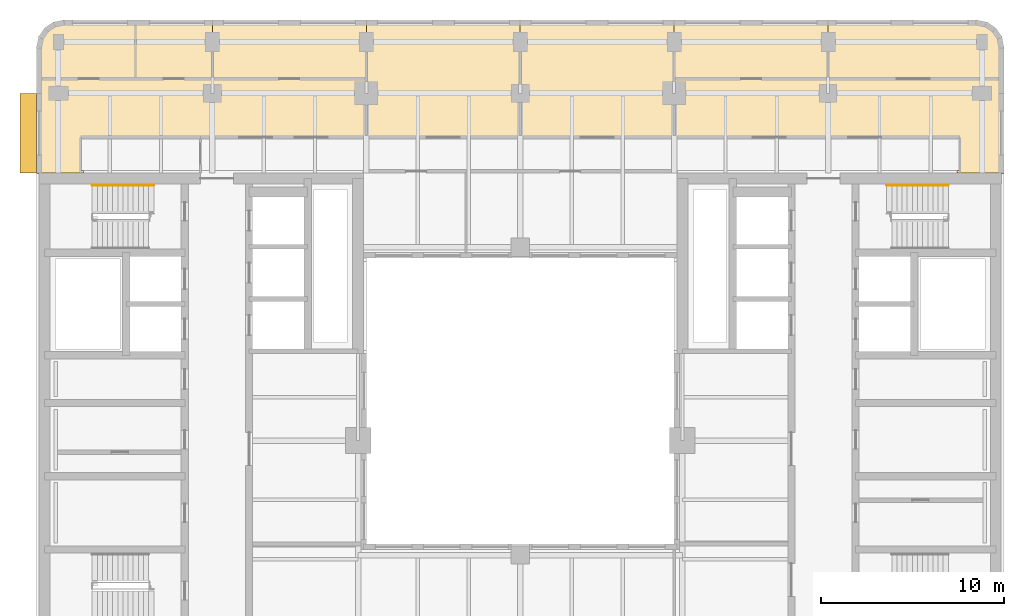
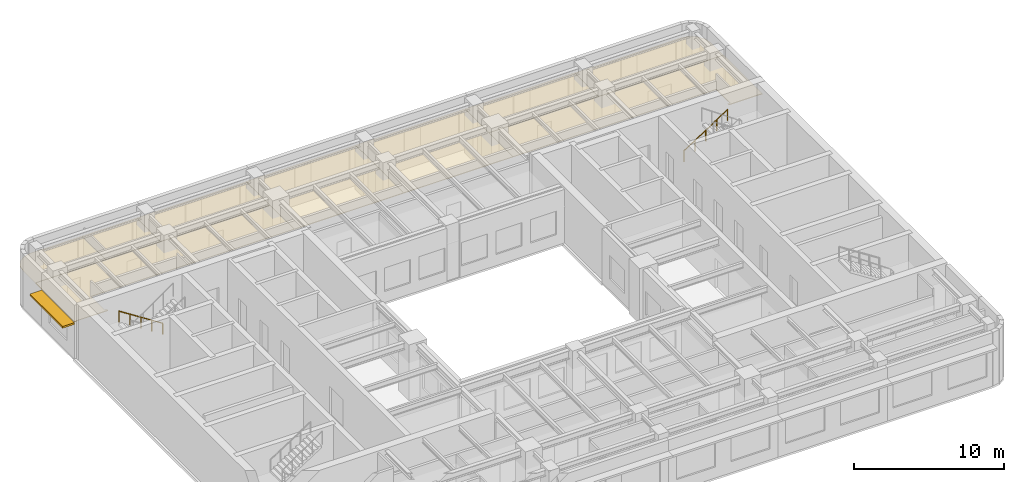
# One storey, part 11 of 11: 9 coverings, 2 railings, 1 shading device.
"""IFC4 building model written with IfcOpenShell, lengths in metres."""

from ifc_helpers import new_model, si_unit, direction, frame, origin, origin_2d, place, context, subcontext, project, spatial, polyline, rectangle, circle, outline, extrude, material, layer, layer_set, type_object, element, save


model = new_model("IFC4")

# Units and contexts
model_context = context("Model", 3, precision=1e-05, world=origin(), true_north=direction((0.0, 1.0)))
body_context = subcontext(model_context, "Body", "Model", "MODEL_VIEW")
ifc_project = project(units=[si_unit("LENGTHUNIT", "METRE"), si_unit("AREAUNIT", "SQUARE_METRE"), si_unit("VOLUMEUNIT", "CUBIC_METRE"), si_unit("PLANEANGLEUNIT", "RADIAN"), si_unit("MASSUNIT", "GRAM", prefix="KILO")], contexts=[model_context])

# Site, building, storey
site_placement = place(None, origin())
site = spatial("IfcSite", under=ifc_project, at=site_placement, CompositionType="ELEMENT")
building_placement = place(site_placement, origin())
building = spatial("IfcBuilding", under=site, at=building_placement, Name="Claustro Exchange Tower", CompositionType="ELEMENT")
storey_placement = place(building_placement, frame((0.0, 0.0, 268.199951171875)))
storey = spatial("IfcBuildingStorey", under=building, at=storey_placement, Name="L61", CompositionType="ELEMENT", Elevation=268.199951171875)

# Coverings
ifc_material_1 = material(Name="Gypsum board ceiling", Category="gypsum board")
ifc_layer_1 = layer(ifc_material_1, 0.02490234375)
ifc_layer_set_1 = layer_set([ifc_layer_1], Name="Gypsum board ceiling")
covering_type_1 = type_object("IfcCoveringType", Name="CL2 plasterboard ceiling", PredefinedType="CEILING", material=ifc_layer_set_1)
covering_1_placement = place(storey_placement, frame((0.0, 0.0, 3.0)))
element("IfcCovering", 1, at=covering_1_placement, inside=storey, type_object=covering_type_1, Name="Ceiling CL2 L61-22", PredefinedType="CEILING", context=body_context, shape_type="SweptSolid", body=[
    extrude(outline(polyline([(-1.199951171875, 44.5), (-1.199951171875, 42.800048828125), (4.199951171875, 42.800048828125), (4.199951171875, 46.0), (0.300048828125, 46.0), (-0.27392578125, 45.8857421875), (-0.7607421875, 45.560791015625), (-1.085693359375, 45.073974609375), (-1.199951171875, 44.5)])), origin(), (0.0, 0.0, 1.0), 0.025146484375),
])
covering_2_placement = place(storey_placement, frame((0.0, 0.0, 3.0)))
element("IfcCovering", 2, at=covering_2_placement, inside=storey, type_object=covering_type_1, Name="Ceiling CL2 L61-23", PredefinedType="CEILING", context=body_context, shape_type="SweptSolid", body=[
    extrude(outline(polyline([(8.39990234375, 46.0), (4.199951171875, 46.0), (4.199951171875, 42.800048828125), (8.39990234375, 42.800048828125), (8.39990234375, 46.0)])), origin(), (0.0, 0.0, 1.0), 0.025146484375),
])
covering_3_placement = place(storey_placement, frame((0.0, 0.0, 3.0)))
element("IfcCovering", 3, at=covering_3_placement, inside=storey, type_object=covering_type_1, Name="Ceiling CL2 L61-24", PredefinedType="CEILING", context=body_context, shape_type="SweptSolid", body=[
    extrude(outline(polyline([(16.800048828125, 46.0), (8.39990234375, 46.0), (8.39990234375, 42.800048828125), (16.800048828125, 42.800048828125), (16.800048828125, 46.0)])), origin(), (0.0, 0.0, 1.0), 0.025146484375),
])
covering_4_placement = place(storey_placement, frame((0.0, 0.0, 3.0)))
element("IfcCovering", 4, at=covering_4_placement, inside=storey, type_object=covering_type_1, Name="Ceiling CL2 L61-26", PredefinedType="CEILING", context=body_context, shape_type="SweptSolid", body=[
    extrude(outline(polyline([(50.10009765625, 46.0), (42.0, 46.0), (42.0, 42.800048828125), (51.60009765625, 42.800048828125), (51.60009765625, 44.5), (51.48583984375, 45.073974609375), (51.16064453125, 45.560791015625), (50.674072265625, 45.8857421875), (50.10009765625, 46.0)])), origin(), (0.0, 0.0, 1.0), 0.025146484375),
])
ifc_material_2 = material(Name="Oak slats on acoustic backing", Category="wood")
ifc_layer_2 = layer(ifc_material_2, 0.050048828125)
ifc_layer_set_2 = layer_set([ifc_layer_2], Name="Oak slats on acoustic backing")
covering_type_2 = type_object("IfcCoveringType", Name="CL3 timber slat ceiling", PredefinedType="CEILING", material=ifc_layer_set_2)
covering_5_placement = place(storey_placement, frame((0.0, 0.0, 3.0)))
element("IfcCovering", 5, at=covering_5_placement, inside=storey, type_object=covering_type_2, Name="Ceiling CL3 L61-18", PredefinedType="CEILING", context=body_context, shape_type="SweptSolid", body=[
    extrude(outline(polyline([(-1.050048828125, 37.64990234375), (1.3701171875, 37.64990234375), (1.3701171875, 37.800048828125), (1.199951171875, 37.800048828125), (1.199951171875, 39.60009765625), (16.800048828125, 39.60009765625), (16.800048828125, 42.800048828125), (-1.199951171875, 42.800048828125), (-1.199951171875, 37.6298828125), (-1.050048828125, 37.6298828125), (-1.050048828125, 37.64990234375)])), origin(), (0.0, 0.0, 1.0), 0.050048828125),
])
covering_6_placement = place(storey_placement, frame((0.0, 0.0, 3.0)))
element("IfcCovering", 6, at=covering_6_placement, inside=storey, type_object=covering_type_2, Name="Ceiling CL3 L61-19", PredefinedType="CEILING", context=body_context, shape_type="SweptSolid", body=[
    extrude(outline(polyline([(51.449951171875, 37.64990234375), (51.449951171875, 37.6298828125), (51.60009765625, 37.6298828125), (51.60009765625, 42.800048828125), (33.60009765625, 42.800048828125), (33.60009765625, 39.60009765625), (49.199951171875, 39.60009765625), (49.199951171875, 37.800048828125), (49.030029296875, 37.800048828125), (49.030029296875, 37.64990234375), (51.449951171875, 37.64990234375)])), origin(), (0.0, 0.0, 1.0), 0.050048828125),
])
covering_7_placement = place(storey_placement, frame((0.0, 0.0, 3.0)))
element("IfcCovering", 7, at=covering_7_placement, inside=storey, type_object=covering_type_2, Name="Ceiling CL3 L61-20", PredefinedType="CEILING", context=body_context, shape_type="SweptSolid", body=[
    extrude(outline(polyline([(25.199951171875, 46.0), (16.800048828125, 46.0), (16.800048828125, 42.800048828125), (16.800048828125, 39.60009765625), (25.199951171875, 39.60009765625), (25.199951171875, 46.0)])), origin(), (0.0, 0.0, 1.0), 0.050048828125),
])
covering_8_placement = place(storey_placement, frame((0.0, 0.0, 3.0)))
element("IfcCovering", 8, at=covering_8_placement, inside=storey, type_object=covering_type_2, Name="Ceiling CL3 L61-21", PredefinedType="CEILING", context=body_context, shape_type="SweptSolid", body=[
    extrude(outline(polyline([(33.60009765625, 46.0), (25.199951171875, 46.0), (25.199951171875, 39.60009765625), (33.60009765625, 39.60009765625), (33.60009765625, 42.800048828125), (33.60009765625, 46.0)])), origin(), (0.0, 0.0, 1.0), 0.050048828125),
])
covering_9_placement = place(storey_placement, frame((0.0, 0.0, 3.0)))
element("IfcCovering", 9, at=covering_9_placement, inside=storey, type_object=covering_type_2, Name="Ceiling CL3 L61-25", PredefinedType="CEILING", context=body_context, shape_type="SweptSolid", body=[
    extrude(outline(polyline([(42.0, 46.0), (33.60009765625, 46.0), (33.60009765625, 42.800048828125), (42.0, 42.800048828125), (42.0, 46.0)])), origin(), (0.0, 0.0, 1.0), 0.050048828125),
])

# Railings
ifc_material_3 = material(Name="Stainless steel tube", Category="steel")
railing_type = type_object("IfcRailingType", Name="HR1 900 stair handrail", PredefinedType="HANDRAIL", material=ifc_material_3)
railing_1_placement = place(storey_placement, frame((5.199951171875, 36.989990234375, 0.179931640625)))
element("IfcRailing", 10, at=railing_1_placement, inside=storey, type_object=railing_type, Name="Handrail HR1 stair STWB L61", PredefinedType="HANDRAIL", context=body_context, shape_type="SweptSolid", body=[
    extrude(circle(Radius=0.02392578125, at=origin_2d()), frame((0.0, 0.0, 0.8759765625), z_axis=(-0.841150671818, 0.0, 0.540800838849), x_axis=(0.0, -1.0, 0.0)), (0.0, 0.0, 1.0), 3.994384765625),
    extrude(circle(Radius=0.02099609375, at=origin_2d()), origin(), (0.0, 0.0, 1.0), 0.851806640625),
    extrude(circle(Radius=0.02099609375, at=origin_2d()), frame((-0.83984375, 0.0, 0.5400390625)), (0.0, 0.0, 1.0), 0.851806640625),
    extrude(circle(Radius=0.02099609375, at=origin_2d()), frame((-1.679931640625, 0.0, 1.080078125)), (0.0, 0.0, 1.0), 0.851806640625),
    extrude(circle(Radius=0.02099609375, at=origin_2d()), frame((-2.52001953125, 0.0, 1.6201171875)), (0.0, 0.0, 1.0), 0.851806640625),
    extrude(circle(Radius=0.02099609375, at=origin_2d()), frame((-3.35986328125, 0.0, 2.16015625)), (0.0, 0.0, 1.0), 0.851806640625),
])
railing_2_placement = place(storey_placement, frame((45.199951171875, 36.989990234375, 0.179931640625)))
element("IfcRailing", 11, at=railing_2_placement, inside=storey, type_object=railing_type, Name="Handrail HR1 stair STEB L61", PredefinedType="HANDRAIL", context=body_context, shape_type="SweptSolid", body=[
    extrude(circle(Radius=0.02392578125, at=origin_2d()), frame((0.0, 0.0, 0.8759765625), z_axis=(0.8411685463, 0.0, 0.540773036232), x_axis=(0.0, 1.0, 0.0)), (0.0, 0.0, 1.0), 3.99462890625),
    extrude(circle(Radius=0.02099609375, at=origin_2d()), origin(), (0.0, 0.0, 1.0), 0.851806640625),
    extrude(circle(Radius=0.02099609375, at=origin_2d()), frame((0.840087890625, 0.0, 0.5400390625)), (0.0, 0.0, 1.0), 0.851806640625),
    extrude(circle(Radius=0.02099609375, at=origin_2d()), frame((1.68017578125, 0.0, 1.080078125)), (0.0, 0.0, 1.0), 0.851806640625),
    extrude(circle(Radius=0.02099609375, at=origin_2d()), frame((2.52001953125, 0.0, 1.6201171875)), (0.0, 0.0, 1.0), 0.851806640625),
    extrude(circle(Radius=0.02099609375, at=origin_2d()), frame((3.360107421875, 0.0, 2.16015625)), (0.0, 0.0, 1.0), 0.851806640625),
])

# Shading device
ifc_material_4 = material(Name="Concrete HA-40 (C40/50), precast, white cement, acid-etched", Category="concrete")
ifc_layer_3 = layer(ifc_material_4, 0.14990234375)
ifc_layer_set_3 = layer_set([ifc_layer_3], Name="Concrete HA-40 (C40/50), precast, white cement, acid-etched")
shading_device_type = type_object("IfcShadingDeviceType", Name="SS2 900 precast concrete SUNSHADE", PredefinedType="SHUTTER", material=ifc_layer_set_3)
shading_device_placement = place(storey_placement, frame((-1.64990234375, 39.824951171875, 2.800048828125), z_axis=(0.0, 0.0, 1.0), x_axis=(0.0, 1.0, 0.0)))
element("IfcShadingDevice", 12, at=shading_device_placement, inside=storey, type_object=shading_device_type, Name="Precast SUNSHADE SS2 L61", PredefinedType="SHUTTER", context=body_context, shape_type="SweptSolid", body=[
    extrude(rectangle(XDim=4.35009765625, YDim=0.89990234375, at=origin_2d()), origin(), (0.0, 0.0, 1.0), 0.14990234375),
])

save(model, "model.ifc")
